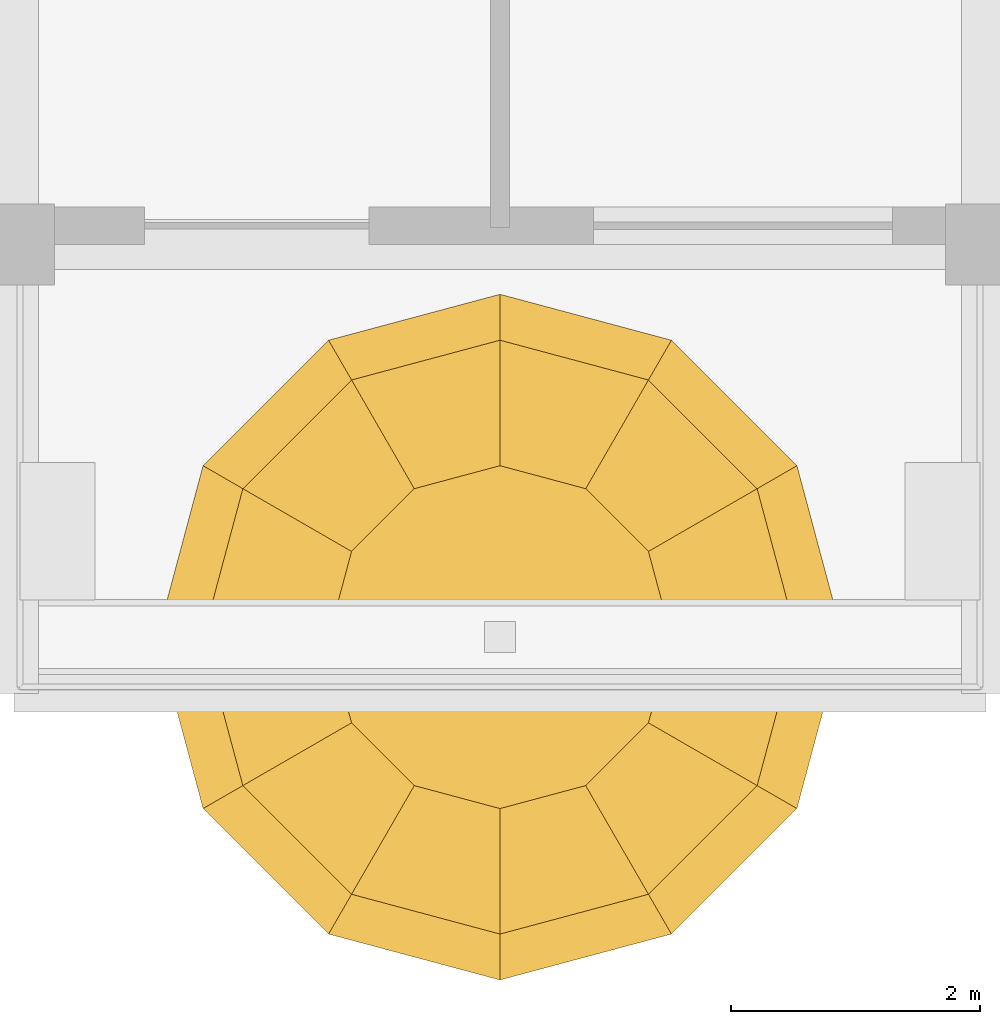
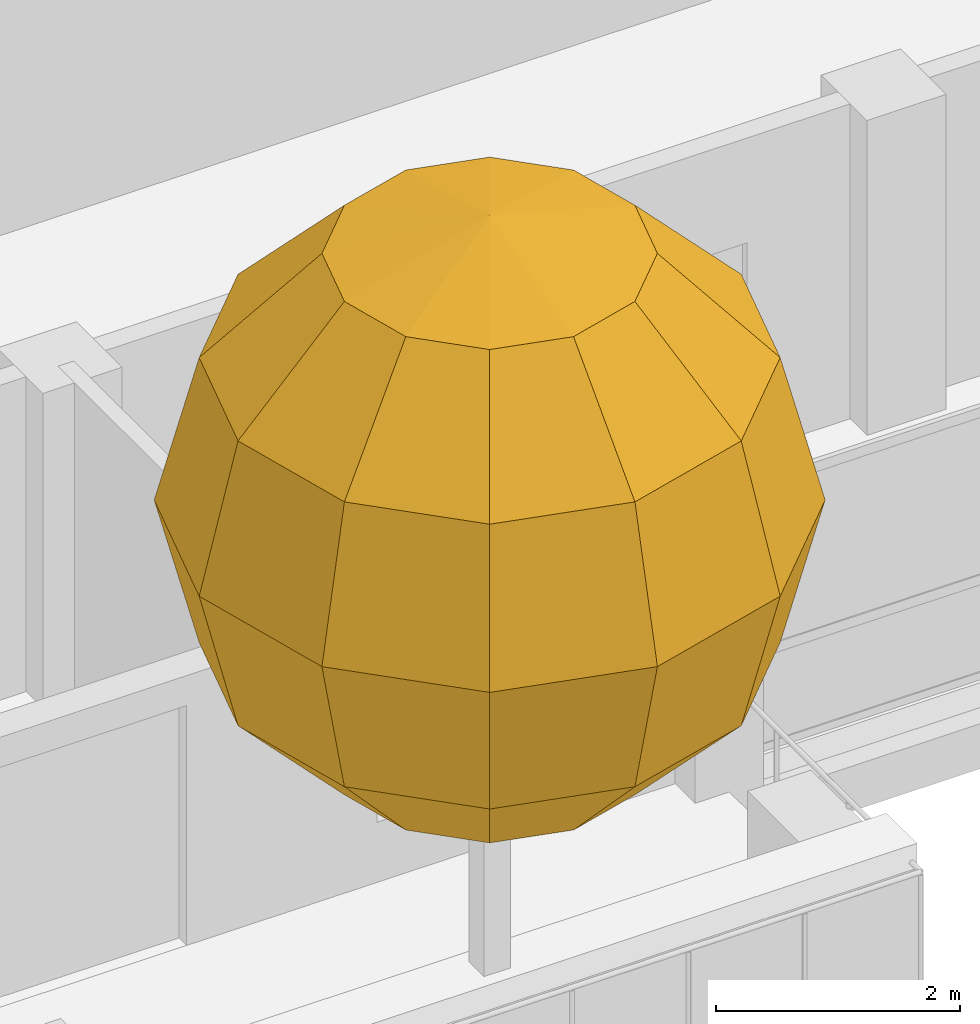
# One storey, part 19 of 19: 1 covering.
"""IFC4 building model written with IfcOpenShell, lengths in metres."""

from ifc_helpers import new_model, si_unit, direction, frame, origin, place, context, subcontext, project, spatial, triangles, material, layer, layer_set, type_object, element, save


model = new_model("IFC4")

# Units and contexts
model_context = context("Model", 3, precision=1e-05, world=origin(), true_north=direction((0.0, 1.0)))
body_context = subcontext(model_context, "Body", "Model", "MODEL_VIEW")
ifc_project = project(units=[si_unit("LENGTHUNIT", "METRE"), si_unit("AREAUNIT", "SQUARE_METRE"), si_unit("VOLUMEUNIT", "CUBIC_METRE"), si_unit("PLANEANGLEUNIT", "RADIAN"), si_unit("MASSUNIT", "GRAM", prefix="KILO")], contexts=[model_context])

# Site, building, storey
site_placement = place(None, origin())
site = spatial("IfcSite", under=ifc_project, at=site_placement, CompositionType="ELEMENT")
building_placement = place(site_placement, origin())
building = spatial("IfcBuilding", under=site, at=building_placement, Name="Ludao Terraces", CompositionType="ELEMENT")
storey_placement = place(building_placement, frame((0.0, 0.0, 256.199951171875)))
storey = spatial("IfcBuildingStorey", under=building, at=storey_placement, Name="L70", CompositionType="ELEMENT", Elevation=256.199951171875)

# Covering
ifc_material = material(Name="Planting")
ifc_layer = layer(ifc_material, 5.5)
ifc_layer_set = layer_set([ifc_layer], Name="ENV Tree crown 5500x5700")
covering_type = type_object("IfcCoveringType", Name="ENV Tree crown 5500x5700", PredefinedType="USERDEFINED", material=ifc_layer_set)
covering_placement = place(storey_placement, frame((85.0, 42.35009765625, 6.0)))
element("IfcCovering", 1, at=covering_placement, inside=storey, type_object=covering_type, Name="Tree crown L70 S1", ObjectType="PLANTING", PredefinedType="USERDEFINED", context=body_context, shape_type="Tessellation", body=[
    triangles([(0.0, 0.0, 2.85009765625), (1.375, 0.0, 2.46826171875), (1.190673828125, 0.6875, 2.46826171875), (0.6875, 1.190673828125, 2.46826171875), (0.0, 1.375, 2.46826171875), (-0.6875, 1.190673828125, 2.46826171875), (-1.190673828125, 0.6875, 2.46826171875), (-1.375, 0.0, 2.46826171875), (-1.190673828125, -0.6875, 2.46826171875), (-0.6875, -1.190673828125, 2.46826171875), (0.0, -1.375, 2.46826171875), (0.6875, -1.190673828125, 2.46826171875), (1.190673828125, -0.6875, 2.46826171875), (2.381591796875, 0.0, 1.425048828125), (2.0625, 1.190673828125, 1.425048828125), (1.190673828125, 2.0625, 1.425048828125), (0.0, 2.381591796875, 1.425048828125), (-1.190673828125, 2.0625, 1.425048828125), (-2.0625, 1.190673828125, 1.425048828125), (-2.381591796875, 0.0, 1.425048828125), (-2.0625, -1.190673828125, 1.425048828125), (-1.190673828125, -2.0625, 1.425048828125), (0.0, -2.381591796875, 1.425048828125), (1.190673828125, -2.0625, 1.425048828125), (2.0625, -1.190673828125, 1.425048828125), (2.75, 0.0, 0.0), (2.381591796875, 1.375, 0.0), (1.375, 2.381591796875, 0.0), (0.0, 2.75, 0.0), (-1.375, 2.381591796875, 0.0), (-2.381591796875, 1.375, 0.0), (-2.75, 0.0, 0.0), (-2.381591796875, -1.375, 0.0), (-1.375, -2.381591796875, 0.0), (0.0, -2.75, 0.0), (1.375, -2.381591796875, 0.0), (2.381591796875, -1.375, 0.0), (2.381591796875, 0.0, -1.425048828125), (2.0625, 1.190673828125, -1.425048828125), (1.190673828125, 2.0625, -1.425048828125), (0.0, 2.381591796875, -1.425048828125), (-1.190673828125, 2.0625, -1.425048828125), (-2.0625, 1.190673828125, -1.425048828125), (-2.381591796875, 0.0, -1.425048828125), (-2.0625, -1.190673828125, -1.425048828125), (-1.190673828125, -2.0625, -1.425048828125), (0.0, -2.381591796875, -1.425048828125), (1.190673828125, -2.0625, -1.425048828125), (2.0625, -1.190673828125, -1.425048828125), (1.375, 0.0, -2.46826171875), (1.190673828125, 0.6875, -2.46826171875), (0.6875, 1.190673828125, -2.46826171875), (0.0, 1.375, -2.46826171875), (-0.6875, 1.190673828125, -2.46826171875), (-1.190673828125, 0.6875, -2.46826171875), (-1.375, 0.0, -2.46826171875), (-1.190673828125, -0.6875, -2.46826171875), (-0.6875, -1.190673828125, -2.46826171875), (0.0, -1.375, -2.46826171875), (0.6875, -1.190673828125, -2.46826171875), (1.190673828125, -0.6875, -2.46826171875), (0.0, 0.0, -2.85009765625)], [[1, 2, 3], [1, 3, 4], [1, 4, 5], [1, 5, 6], [1, 6, 7], [1, 7, 8], [1, 8, 9], [1, 9, 10], [1, 10, 11], [1, 11, 12], [1, 12, 13], [1, 13, 2], [2, 14, 15], [2, 15, 3], [3, 15, 16], [3, 16, 4], [4, 16, 17], [4, 17, 5], [5, 17, 18], [5, 18, 6], [6, 18, 19], [6, 19, 7], [7, 19, 20], [7, 20, 8], [8, 20, 21], [8, 21, 9], [9, 21, 22], [9, 22, 10], [10, 22, 23], [10, 23, 11], [11, 23, 24], [11, 24, 12], [12, 24, 25], [12, 25, 13], [13, 25, 14], [13, 14, 2], [14, 26, 27], [14, 27, 15], [15, 27, 28], [15, 28, 16], [16, 28, 29], [16, 29, 17], [17, 29, 30], [17, 30, 18], [18, 30, 31], [18, 31, 19], [19, 31, 32], [19, 32, 20], [20, 32, 33], [20, 33, 21], [21, 33, 34], [21, 34, 22], [22, 34, 35], [22, 35, 23], [23, 35, 36], [23, 36, 24], [24, 36, 37], [24, 37, 25], [25, 37, 26], [25, 26, 14], [26, 38, 39], [26, 39, 27], [27, 39, 40], [27, 40, 28], [28, 40, 41], [28, 41, 29], [29, 41, 42], [29, 42, 30], [30, 42, 43], [30, 43, 31], [31, 43, 44], [31, 44, 32], [32, 44, 45], [32, 45, 33], [33, 45, 46], [33, 46, 34], [34, 46, 47], [34, 47, 35], [35, 47, 48], [35, 48, 36], [36, 48, 49], [36, 49, 37], [37, 49, 38], [37, 38, 26], [38, 50, 51], [38, 51, 39], [39, 51, 52], [39, 52, 40], [40, 52, 53], [40, 53, 41], [41, 53, 54], [41, 54, 42], [42, 54, 55], [42, 55, 43], [43, 55, 56], [43, 56, 44], [44, 56, 57], [44, 57, 45], [45, 57, 58], [45, 58, 46], [46, 58, 59], [46, 59, 47], [47, 59, 60], [47, 60, 48], [48, 60, 61], [48, 61, 49], [49, 61, 50], [49, 50, 38], [62, 51, 50], [62, 52, 51], [62, 53, 52], [62, 54, 53], [62, 55, 54], [62, 56, 55], [62, 57, 56], [62, 58, 57], [62, 59, 58], [62, 60, 59], [62, 61, 60], [62, 50, 61]], closed=True),
])

save(model, "model.ifc")
